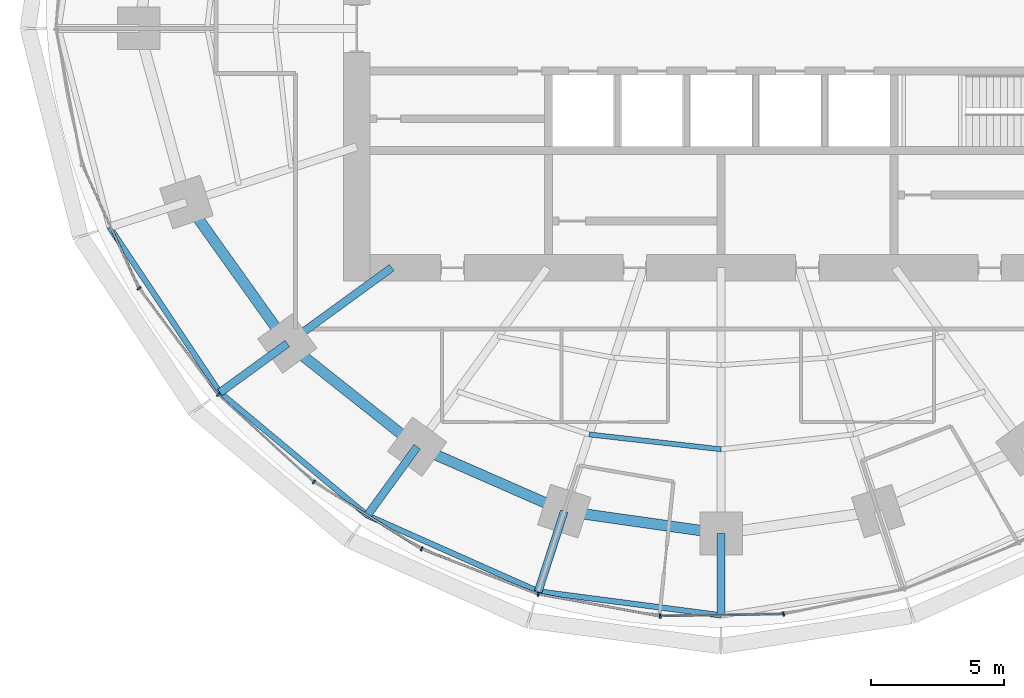
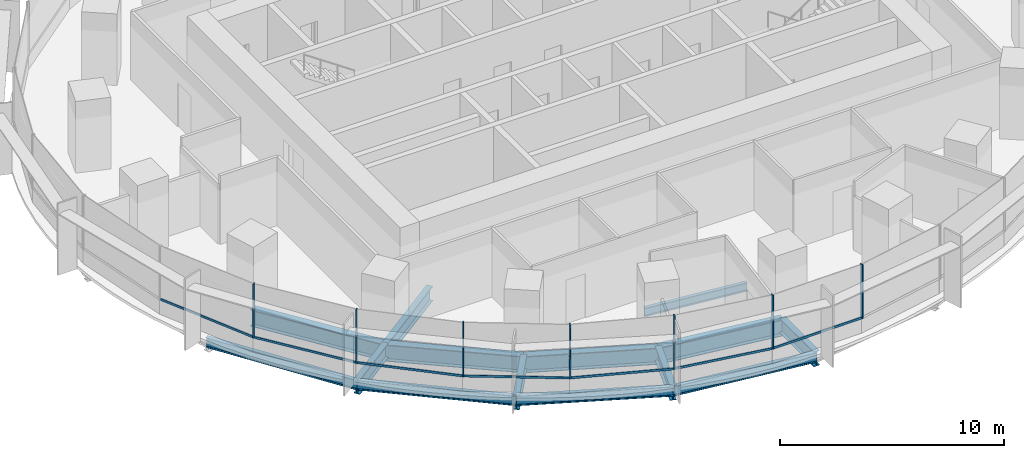
# One storey, part 2 of 14: 14 beams, 14 members, 2 elements without a shape of their own.
"""IFC4 building model written with IfcOpenShell, lengths in metres."""

import ifcopenshell
import ifcopenshell.guid

model = None  # the IFC model being written
_history = None  # IfcOwnerHistory: only IFC2X3 demands one
_inside = {}  # id of a spatial element -> (the spatial element, [elements in it])
_under = {}  # id of a project, library or spatial element -> (it, [spatial elements below it])
_declared = {}  # id of a project -> (the project, [libraries it declares])
_typed = {}  # id of a type object -> (the type object, [elements of that type])
_made_of = {}  # id of a material, layer set ... -> (it, [elements and type objects made of it])


def new_model(schema):
    """Start an empty IFC model of exactly this schema.

    Asked for "IFC4X3", IfcOpenShell would pick the latest addendum, in which some entities
    have other attributes; the version numbers below select the first issue.
    IFC2X3 requires an IfcOwnerHistory on every rooted entity: one is made here for all.
    """
    global model, _history
    if schema == "IFC4X3":
        model = ifcopenshell.file(schema_version=(4, 3, 0, 0))
    else:
        model = ifcopenshell.file(schema=schema)
    _inside.clear()
    _under.clear()
    _declared.clear()
    _typed.clear()
    _made_of.clear()
    _history = None
    if model.schema == "IFC2X3":
        org = make("IfcOrganization", Name="unknown")
        user = make(
            "IfcPersonAndOrganization",
            ThePerson=make("IfcPerson", FamilyName="unknown"),
            TheOrganization=org,
        )
        app = make(
            "IfcApplication",
            ApplicationDeveloper=org,
            Version="unknown",
            ApplicationFullName="unknown",
            ApplicationIdentifier="unknown",
        )
        _history = make(
            "IfcOwnerHistory",
            OwningUser=user,
            OwningApplication=app,
            ChangeAction="ADDED",
            CreationDate=0,
        )
    return model


def make(cls, **values):
    """One entity of the class cls with the attributes given. An attribute that is None is left unset."""
    return model.create_entity(
        cls, **{name: value for name, value in values.items() if value is not None}
    )


def rooted(cls, **values):
    """An entity with a GlobalId (a new one), such as an element, a storey or a relation."""
    return make(cls, GlobalId=ifcopenshell.guid.new(), OwnerHistory=_history, **values)


def si_unit(unit_type, name, prefix=None):
    """IfcSIUnit, for example si_unit("LENGTHUNIT", "METRE", prefix="MILLI")."""
    return make("IfcSIUnit", UnitType=unit_type, Prefix=prefix, Name=name)


def assignment(units):
    """IfcUnitAssignment: the units of a project."""
    return None if units is None else make("IfcUnitAssignment", Units=units)


def point(xyz):
    """IfcCartesianPoint."""
    return None if xyz is None else make("IfcCartesianPoint", Coordinates=xyz)


def direction(xyz):
    """IfcDirection."""
    return None if xyz is None else make("IfcDirection", DirectionRatios=xyz)


def frame(location, z_axis=None, x_axis=None):
    """IfcAxis2Placement3D, a coordinate frame: its origin and axes. An axis left out is left unset."""
    return make(
        "IfcAxis2Placement3D",
        Location=point(location),
        Axis=direction(z_axis),
        RefDirection=direction(x_axis),
    )


def frame_2d(location, x_axis=None):
    """IfcAxis2Placement2D, a coordinate frame in the plane: its origin and x axis."""
    return make(
        "IfcAxis2Placement2D", Location=point(location), RefDirection=direction(x_axis)
    )


def origin():
    """The frame at (0, 0, 0) with its axes left unset."""
    return frame((0.0, 0.0, 0.0))


def origin_2d():
    """The frame at (0, 0) in the plane with its x axis left unset."""
    return frame_2d((0.0, 0.0))


def place(relative_to, where):
    """IfcLocalPlacement: puts the frame where relative to a parent placement (None: the world)."""
    return make(
        "IfcLocalPlacement", PlacementRelTo=relative_to, RelativePlacement=where
    )


def context(
    kind, dimensions, precision=None, world=None, true_north=None, identifier=None
):
    """IfcGeometricRepresentationContext, for example the 3D "Model" context."""
    return make(
        "IfcGeometricRepresentationContext",
        ContextIdentifier=identifier,
        ContextType=kind,
        CoordinateSpaceDimension=dimensions,
        Precision=precision,
        WorldCoordinateSystem=world,
        TrueNorth=true_north,
    )


def subcontext(parent, identifier, kind, view, scale=None):
    """IfcGeometricRepresentationSubContext, for example "Body" below "Model"."""
    return make(
        "IfcGeometricRepresentationSubContext",
        ContextIdentifier=identifier,
        ContextType=kind,
        ParentContext=parent,
        TargetScale=scale,
        TargetView=view,
    )


def project(units=None, contexts=None):
    """IfcProject with its units and contexts."""
    return rooted(
        "IfcProject",
        Name="project",
        RepresentationContexts=contexts,
        UnitsInContext=assignment(units),
    )


def spatial(cls, under=None, at=None, **own):
    """A site, building, storey or space (cls), placed at a placement, below another one or the project."""
    s = rooted(cls, ObjectPlacement=at, **own)
    if under is not None:
        _under.setdefault(under.id(), (under, []))[1].append(s)
    return s


def profile(cls, at=None, kind="AREA", **sizes):
    """A parametric profile (cls). Its sizes go by their IFC names, for example OverallWidth=200.0."""
    return make(cls, ProfileType=kind, Position=at, **sizes)


def rectangle(**sizes):
    """IfcRectangleProfileDef."""
    return profile("IfcRectangleProfileDef", **sizes)


def i_section(**sizes):
    """IfcIShapeProfileDef."""
    return profile("IfcIShapeProfileDef", **sizes)


def extrude(swept, where, along, depth):
    """IfcExtrudedAreaSolid: the profile swept, set in the frame where, extruded along a direction by depth."""
    return make(
        "IfcExtrudedAreaSolid",
        SweptArea=swept,
        Position=where,
        ExtrudedDirection=direction(along),
        Depth=depth,
    )


def shape(context_of_items, identifier, shape_type, items):
    """IfcShapeRepresentation: the items that make up one representation, for example the "Body"."""
    return make(
        "IfcShapeRepresentation",
        ContextOfItems=context_of_items,
        RepresentationIdentifier=identifier,
        RepresentationType=shape_type,
        Items=items,
    )


def material(Name=None, Category=None):
    """IfcMaterial."""
    return make("IfcMaterial", Name=Name, Category=Category)


def material_profile(
    of_material, cross_section, Name=None, Category=None, Priority=None
):
    """IfcMaterialProfile: a cross section and its material."""
    return make(
        "IfcMaterialProfile",
        Name=Name,
        Material=of_material,
        Profile=cross_section,
        Priority=Priority,
        Category=Category,
    )


def profile_set(profiles, Name=None, composite=None):
    """IfcMaterialProfileSet."""
    return make(
        "IfcMaterialProfileSet",
        Name=Name,
        MaterialProfiles=profiles,
        CompositeProfile=composite,
    )


def made_of(thing, what):
    """Note that an element or type object is made of a material, layer set ...; save() writes the relation."""
    if what is not None:
        _made_of.setdefault(what.id(), (what, []))[1].append(thing)
    return thing


def type_object(cls, material=None, **own):
    """A type object (cls), such as IfcWallType, which elements share."""
    return made_of(rooted(cls, **own), material)


def element(
    cls,
    number,
    at=None,
    inside=None,
    cuts=None,
    type_object=None,
    material=None,
    context=None,
    identifier="Body",
    shape_type=None,
    held_by="IfcProductDefinitionShape",
    body=None,
    shapes=None,
    **own,
):
    """One element of the class cls, such as IfcWall. Its Tag is "e" and its number.

    at: its placement. inside: the storey or other place that contains it. cuts: it is an
    opening in that element (IfcRelVoidsElement). A single representation is given by context,
    identifier, shape_type and body (its items); several are given by shapes. held_by: the class
    of the entity that holds the representations. save() writes the other relations.
    """
    e = rooted(cls, Tag="e%d" % number, ObjectPlacement=at, **own)
    if body is not None:
        shapes = [shape(context, identifier, shape_type, body)]
    if shapes is not None:
        e.Representation = make(held_by, Representations=shapes)
    if inside is not None:
        _inside.setdefault(inside.id(), (inside, []))[1].append(e)
    if cuts is not None:
        rooted(
            "IfcRelVoidsElement", RelatingBuildingElement=cuts, RelatedOpeningElement=e
        )
    if type_object is not None:
        _typed.setdefault(type_object.id(), (type_object, []))[1].append(e)
    return made_of(e, material)


def aggregate(whole, parts):
    """IfcRelAggregates: a whole, such as a stair, and the parts it consists of."""
    return rooted("IfcRelAggregates", RelatingObject=whole, RelatedObjects=parts)


def save(model, path):
    """Write the relations noted so far, then the file.

    IfcRelAggregates (storeys below a building ...), IfcRelContainedInSpatialStructure (elements
    in a storey), IfcRelDefinesByType, IfcRelAssociatesMaterial and IfcRelDeclares: one each for
    every whole, place, type object, material and project.
    """
    for whole, parts in _under.values():
        aggregate(whole, parts)
    for where, things in _inside.values():
        rooted(
            "IfcRelContainedInSpatialStructure",
            RelatedElements=things,
            RelatingStructure=where,
        )
    for kind, things in _typed.values():
        rooted("IfcRelDefinesByType", RelatedObjects=things, RelatingType=kind)
    for what, things in _made_of.values():
        rooted("IfcRelAssociatesMaterial", RelatedObjects=things, RelatingMaterial=what)
    for by, libraries in _declared.values():
        rooted("IfcRelDeclares", RelatingContext=by, RelatedDefinitions=libraries)
    model.write(path)


model = new_model("IFC4")

# Units and contexts
model_context = context("Model", 3, precision=1e-05, world=origin(), true_north=direction((0.0, 1.0)))
body_context = subcontext(model_context, "Body", "Model", "MODEL_VIEW")
ifc_project = project(units=[si_unit("LENGTHUNIT", "METRE"), si_unit("AREAUNIT", "SQUARE_METRE"), si_unit("VOLUMEUNIT", "CUBIC_METRE"), si_unit("PLANEANGLEUNIT", "RADIAN"), si_unit("MASSUNIT", "GRAM", prefix="KILO")], contexts=[model_context])

# Site, building, storey
site_placement = place(None, origin())
site = spatial("IfcSite", under=ifc_project, at=site_placement, CompositionType="ELEMENT")
building_placement = place(site_placement, origin())
building = spatial("IfcBuilding", under=site, at=building_placement, Name="Marramba Exchange Tower", CompositionType="ELEMENT")
storey_placement = place(building_placement, frame((0.0, 0.0, 108.0)))
storey = spatial("IfcBuildingStorey", under=building, at=storey_placement, Name="L25", CompositionType="ELEMENT", Elevation=108.0)

# Beams
ifc_material_1 = material(Name="Steel AS/NZS 3679.2 grade 300", Category="steel")
ifc_material_profile_1 = material_profile(ifc_material_1, i_section(OverallWidth=0.300048828125, OverallDepth=0.800048828125, WebThickness=0.013916015625, FlangeThickness=0.031982421875, at=origin_2d()), Name="800WB192")
ifc_profile_set_1 = profile_set([ifc_material_profile_1], Name="Steel AS/NZS 3679.2 grade 300")
beam_type_1 = type_object("IfcBeamType", Name="Cantilever girder 800WB192", PredefinedType="BEAM", material=ifc_profile_set_1)
beam_1_placement = place(storey_placement, frame((-16.3154296875, -11.853759765625, -0.56005859375), z_axis=(-0.809025813822, -0.587773113173, 0.0), x_axis=(0.587773113173, -0.809025813822, 0.0)))
element("IfcBeam", 1, at=beam_1_placement, inside=storey, type_object=beam_type_1, Name="Cantilever girder L25 TC13", PredefinedType="BEAM", context=body_context, shape_type="SweptSolid", body=[
    extrude(i_section(OverallWidth=0.300048828125, OverallDepth=0.800048828125, WebThickness=0.013916015625, FlangeThickness=0.031982421875, at=origin_2d()), origin(), (0.0, 0.0, 1.0), 3.132568359375),
])
beam_2_placement = place(storey_placement, frame((-11.430419921875, -15.732666015625, -0.56005859375), z_axis=(-0.587767308424, -0.809030031054, 0.0), x_axis=(0.809030031054, -0.587767308424, 0.0)))
element("IfcBeam", 2, at=beam_2_placement, inside=storey, type_object=beam_type_1, Name="Cantilever girder L25 TC14", PredefinedType="BEAM", context=body_context, shape_type="SweptSolid", body=[
    extrude(i_section(OverallWidth=0.300048828125, OverallDepth=0.800048828125, WebThickness=0.013916015625, FlangeThickness=0.031982421875, at=origin_2d()), origin(), (0.0, 0.0, 1.0), 3.195556640625),
])
beam_3_placement = place(storey_placement, frame((-5.899658203125, -18.156982421875, -0.56005859375), z_axis=(-0.309018232614, -0.951056113966, 0.0), x_axis=(0.951056113966, -0.309018232614, 0.0)))
element("IfcBeam", 3, at=beam_3_placement, inside=storey, type_object=beam_type_1, Name="Cantilever girder L25 TC15", PredefinedType="BEAM", context=body_context, shape_type="SweptSolid", body=[
    extrude(i_section(OverallWidth=0.300048828125, OverallDepth=0.800048828125, WebThickness=0.013916015625, FlangeThickness=0.031982421875, at=origin_2d()), origin(), (0.0, 0.0, 1.0), 3.173583984375),
])
beam_4_placement = place(storey_placement, frame((0.0, -18.99609375, -0.56005859375), z_axis=(0.0, -1.0, 0.0), x_axis=(1.0, 0.0, 0.0)))
element("IfcBeam", 4, at=beam_4_placement, inside=storey, type_object=beam_type_1, Name="Cantilever girder L25 TC16", PredefinedType="BEAM", context=body_context, shape_type="SweptSolid", body=[
    extrude(i_section(OverallWidth=0.300048828125, OverallDepth=0.800048828125, WebThickness=0.013916015625, FlangeThickness=0.031982421875, at=origin_2d()), origin(), (0.0, 0.0, 1.0), 3.080810546875),
])
ifc_material_2 = material(Name="Steel AS/NZS 3679.1 grade 300", Category="steel")
ifc_material_profile_2 = material_profile(ifc_material_2, i_section(OverallWidth=0.18994140625, OverallDepth=0.4541015625, WebThickness=0.008544921875, FlangeThickness=0.0126953125, FilletRadius=0.011474609375, at=origin_2d()), Name="460UB67.1")
ifc_profile_set_2 = profile_set([ifc_material_profile_2], Name="Steel AS/NZS 3679.1 grade 300")
beam_type_2 = type_object("IfcBeamType", Name="Floor joist 460UB67.1", PredefinedType="JOIST", material=ifc_profile_set_2)
beam_5_placement = place(storey_placement, frame((-4.9619140625, -15.271484375, -0.386962890625), z_axis=(0.993712018573, -0.111966174106, 0.0), x_axis=(0.111966174106, 0.993712018573, 0.0)))
element("IfcBeam", 5, at=beam_5_placement, inside=storey, type_object=beam_type_2, Name="Joist L25 bay 15 row 2", PredefinedType="JOIST", context=body_context, shape_type="SweptSolid", body=[
    extrude(i_section(OverallWidth=0.18994140625, OverallDepth=0.4541015625, WebThickness=0.008544921875, FlangeThickness=0.0126953125, FilletRadius=0.011474609375, at=origin_2d()), origin(), (0.0, 0.0, 1.0), 4.993408203125),
])

# Curtain wall, members
ifc_material_3 = material(Name="Aluminium framing, bronze anodised", Category="aluminium")
curtain_wall_type = type_object("IfcCurtainWallType", Name="Office ribbon curtain wall", PredefinedType="USERDEFINED", material=ifc_material_3)
curtain_wall_1_placement = place(storey_placement, origin())
curtain_wall_1 = element("IfcCurtainWall", 6, at=curtain_wall_1_placement, inside=storey, type_object=curtain_wall_type, Name="Curtain wall CW4 L25 F16-F20", ObjectType="RIBBON CURTAIN WALL", PredefinedType="USERDEFINED")
ifc_material_4 = material(Name="Aluminium mullion, bronze anodised", Category="aluminium")
ifc_material_profile_3 = material_profile(ifc_material_4, rectangle(XDim=0.159912109375, YDim=0.06005859375, at=origin_2d()), Name="CW4 mullion 60x160")
ifc_profile_set_3 = profile_set([ifc_material_profile_3], Name="Aluminium mullion, bronze anodised")
member_type_1 = type_object("IfcMemberType", Name="Office ribbon curtain wall mullion", PredefinedType="MULLION", material=ifc_profile_set_3)
member_1_placement = place(storey_placement, frame((-21.891357421875, -9.778564453125, 0.800048828125), z_axis=(0.0, 0.0, 1.0), x_axis=(0.802014400683, 0.597304697033, 0.0)))
member_1 = element("IfcMember", 7, at=member_1_placement, type_object=member_type_1, Name="CW4 mullion 1", PredefinedType="MULLION", context=body_context, shape_type="SweptSolid", body=[
    extrude(rectangle(XDim=0.159912109375, YDim=0.06005859375, at=origin_2d()), origin(), (0.0, 0.0, 1.0), 2.93994140625),
])
member_2_placement = place(storey_placement, frame((-18.90869140625, -13.774169921875, 0.800048828125), z_axis=(0.0, 0.0, 1.0), x_axis=(0.674995455115, 0.737821886077, 0.0)))
member_2 = element("IfcMember", 8, at=member_2_placement, type_object=member_type_1, Name="CW4 mullion 1", PredefinedType="MULLION", context=body_context, shape_type="SweptSolid", body=[
    extrude(rectangle(XDim=0.159912109375, YDim=0.06005859375, at=origin_2d()), origin(), (0.0, 0.0, 1.0), 2.93994140625),
])
member_3_placement = place(storey_placement, frame((-15.315673828125, -17.053955078125, 0.800048828125), z_axis=(0.0, 0.0, 1.0), x_axis=(0.52942844364, 0.84835459748, 0.0)))
member_3 = element("IfcMember", 9, at=member_3_placement, type_object=member_type_1, Name="CW4 mullion 1", PredefinedType="MULLION", context=body_context, shape_type="SweptSolid", body=[
    extrude(rectangle(XDim=0.159912109375, YDim=0.06005859375, at=origin_2d()), origin(), (0.0, 0.0, 1.0), 2.93994140625),
])

curtain_wall_2_placement = place(storey_placement, origin())
curtain_wall_2 = element("IfcCurtainWall", 10, at=curtain_wall_2_placement, inside=storey, type_object=curtain_wall_type, Name="Curtain wall CW4 L25 F21-F25", ObjectType="RIBBON CURTAIN WALL", PredefinedType="USERDEFINED")
member_4_placement = place(storey_placement, frame((-11.266845703125, -19.573974609375, 0.800048828125), z_axis=(0.0, 0.0, 1.0), x_axis=(0.36292490603, 0.931818390344, 0.0)))
member_4 = element("IfcMember", 11, at=member_4_placement, type_object=member_type_1, Name="CW4 mullion 1", PredefinedType="MULLION", context=body_context, shape_type="SweptSolid", body=[
    extrude(rectangle(XDim=0.159912109375, YDim=0.06005859375, at=origin_2d()), origin(), (0.0, 0.0, 1.0), 2.93994140625),
])
member_5_placement = place(storey_placement, frame((-6.881591796875, -21.27587890625, 0.800048828125), z_axis=(0.0, 0.0, 1.0), x_axis=(0.177992379115, 0.984031865834, 0.0)))
member_5 = element("IfcMember", 12, at=member_5_placement, type_object=member_type_1, Name="CW4 mullion 1", PredefinedType="MULLION", context=body_context, shape_type="SweptSolid", body=[
    extrude(rectangle(XDim=0.159912109375, YDim=0.06005859375, at=origin_2d()), origin(), (0.0, 0.0, 1.0), 2.93994140625),
])
member_6_placement = place(storey_placement, frame((-2.292724609375, -22.099853515625, 0.800048828125), z_axis=(0.0, 0.0, 1.0), x_axis=(-0.015178646521, 0.999884797709, 0.0)))
member_6 = element("IfcMember", 13, at=member_6_placement, type_object=member_type_1, Name="CW4 mullion 1", PredefinedType="MULLION", context=body_context, shape_type="SweptSolid", body=[
    extrude(rectangle(XDim=0.159912109375, YDim=0.06005859375, at=origin_2d()), origin(), (0.0, 0.0, 1.0), 2.93994140625),
])
member_7_placement = place(storey_placement, frame((2.3447265625, -22.02392578125, 0.800048828125), z_axis=(0.0, 0.0, 1.0), x_axis=(-0.202364850159, 0.979310199794, 0.0)))
member_7 = element("IfcMember", 14, at=member_7_placement, type_object=member_type_1, Name="CW4 mullion 1", PredefinedType="MULLION", context=body_context, shape_type="SweptSolid", body=[
    extrude(rectangle(XDim=0.159912109375, YDim=0.06005859375, at=origin_2d()), origin(), (0.0, 0.0, 1.0), 2.93994140625),
])

# Member
ifc_material_5 = material(Name="Aluminium transom, bronze anodised", Category="aluminium")
ifc_material_profile_4 = material_profile(ifc_material_5, rectangle(XDim=0.06005859375, YDim=0.1201171875, at=origin_2d()), Name="CW4 transom 60x120")
ifc_profile_set_4 = profile_set([ifc_material_profile_4], Name="Aluminium transom, bronze anodised")
member_type_2 = type_object("IfcMemberType", Name="Office ribbon curtain wall transom", PredefinedType="USERDEFINED", material=ifc_profile_set_4)
member_8_placement = place(storey_placement, frame((-24.013671875, -5.1640625, 0.830078125), z_axis=(0.416732948599, -0.909028959688, 0.0), x_axis=(0.909028959688, 0.416732948599, 0.0)))
member_8 = element("IfcMember", 15, at=member_8_placement, type_object=member_type_2, Name="CW4 sill transom", ObjectType="TRANSOM", PredefinedType="USERDEFINED", context=body_context, shape_type="SweptSolid", body=[
    extrude(rectangle(XDim=0.06005859375, YDim=0.1201171875, at=origin_2d()), origin(), (0.0, 0.0, 1.0), 5.050048828125),
])

member_9_placement = place(storey_placement, frame((-21.873291015625, -9.802734375, 0.830078125), z_axis=(0.597300736643, -0.80201735019, 0.0), x_axis=(0.80201735019, 0.597300736643, 0.0)))
member_9 = element("IfcMember", 16, at=member_9_placement, type_object=member_type_2, Name="CW4 sill transom", ObjectType="TRANSOM", PredefinedType="USERDEFINED", context=body_context, shape_type="SweptSolid", body=[
    extrude(rectangle(XDim=0.06005859375, YDim=0.1201171875, at=origin_2d()), origin(), (0.0, 0.0, 1.0), 4.926513671875),
])

member_10_placement = place(storey_placement, frame((-18.886474609375, -13.79443359375, 0.830078125), z_axis=(0.737807565469, -0.675011108306, 0.0), x_axis=(0.675011108306, 0.737807565469, 0.0)))
member_10 = element("IfcMember", 17, at=member_10_placement, type_object=member_type_2, Name="CW4 sill transom", ObjectType="TRANSOM", PredefinedType="USERDEFINED", context=body_context, shape_type="SweptSolid", body=[
    extrude(rectangle(XDim=0.06005859375, YDim=0.1201171875, at=origin_2d()), origin(), (0.0, 0.0, 1.0), 4.805419921875),
])

member_11_placement = place(storey_placement, frame((-15.2900390625, -17.06982421875, 0.830078125), z_axis=(0.848373790728, -0.529397687193, 0.0), x_axis=(0.529397687193, 0.848373790728, 0.0)))
member_11 = element("IfcMember", 18, at=member_11_placement, type_object=member_type_2, Name="CW4 sill transom", ObjectType="TRANSOM", PredefinedType="USERDEFINED", context=body_context, shape_type="SweptSolid", body=[
    extrude(rectangle(XDim=0.06005859375, YDim=0.1201171875, at=origin_2d()), origin(), (0.0, 0.0, 1.0), 4.70947265625),
])

aggregate(curtain_wall_1, [member_8, member_1, member_9, member_2, member_10, member_3, member_11])

member_12_placement = place(storey_placement, frame((-11.23876953125, -19.5849609375, 0.830078125), z_axis=(0.931817106708, -0.362928201778, 0.0), x_axis=(0.362928201778, 0.931817106708, 0.0)))
member_12 = element("IfcMember", 19, at=member_12_placement, type_object=member_type_2, Name="CW4 sill transom", ObjectType="TRANSOM", PredefinedType="USERDEFINED", context=body_context, shape_type="SweptSolid", body=[
    extrude(rectangle(XDim=0.06005859375, YDim=0.1201171875, at=origin_2d()), origin(), (0.0, 0.0, 1.0), 4.644287109375),
])

member_13_placement = place(storey_placement, frame((-6.85205078125, -21.281005859375, 0.830078125), z_axis=(0.98402906811, -0.178007845654, 0.0), x_axis=(0.178007845654, 0.98402906811, 0.0)))
member_13 = element("IfcMember", 20, at=member_13_placement, type_object=member_type_2, Name="CW4 sill transom", ObjectType="TRANSOM", PredefinedType="USERDEFINED", context=body_context, shape_type="SweptSolid", body=[
    extrude(rectangle(XDim=0.06005859375, YDim=0.1201171875, at=origin_2d()), origin(), (0.0, 0.0, 1.0), 4.602783203125),
])

member_14_placement = place(storey_placement, frame((-2.262939453125, -22.099365234375, 0.830078125), z_axis=(0.999885345665, 0.015142507235, 0.0), x_axis=(-0.015142507235, 0.999885345665, 0.0)))
member_14 = element("IfcMember", 21, at=member_14_placement, type_object=member_type_2, Name="CW4 sill transom", ObjectType="TRANSOM", PredefinedType="USERDEFINED", context=body_context, shape_type="SweptSolid", body=[
    extrude(rectangle(XDim=0.06005859375, YDim=0.1201171875, at=origin_2d()), origin(), (0.0, 0.0, 1.0), 4.578857421875),
])

aggregate(curtain_wall_2, [member_4, member_12, member_5, member_13, member_6, member_14, member_7])

# Beams
ifc_material_profile_5 = material_profile(ifc_material_1, i_section(OverallWidth=0.300048828125, OverallDepth=0.800048828125, WebThickness=0.013916015625, FlangeThickness=0.031982421875, at=origin_2d()), Name="800WB192")
ifc_profile_set_5 = profile_set([ifc_material_profile_5], Name="Steel AS/NZS 3679.2 grade 300")
beam_type_3 = type_object("IfcBeamType", Name="Radial girder 800WB192", PredefinedType="BEAM", material=ifc_profile_set_5)
beam_6_placement = place(storey_placement, frame((-12.387451171875, -9.0, -0.56005859375), z_axis=(-0.809025189606, -0.58777397236, 0.0), x_axis=(0.58777397236, -0.809025189606, 0.0)))
element("IfcBeam", 22, at=beam_6_placement, inside=storey, type_object=beam_type_3, Name="Radial girder L25 TC13", PredefinedType="BEAM", context=body_context, shape_type="SweptSolid", body=[
    extrude(i_section(OverallWidth=0.300048828125, OverallDepth=0.800048828125, WebThickness=0.013916015625, FlangeThickness=0.031982421875, at=origin_2d()), origin(), (0.0, 0.0, 1.0), 4.855224609375),
])
ifc_material_profile_6 = material_profile(ifc_material_1, i_section(OverallWidth=0.39990234375, OverallDepth=0.89990234375, WebThickness=0.01611328125, FlangeThickness=0.031982421875, at=origin_2d()), Name="900WB282")
ifc_profile_set_6 = profile_set([ifc_material_profile_6], Name="Steel AS/NZS 3679.2 grade 300")
beam_type_4 = type_object("IfcBeamType", Name="Ring beam 900WB282", PredefinedType="SPANDREL", material=ifc_profile_set_6)
beam_7_placement = place(storey_placement, frame((-20.109375, -6.533935546875, -0.610107421875), z_axis=(0.580637181111, -0.814162430914, 0.0), x_axis=(0.814162430914, 0.580637181111, 0.0)))
element("IfcBeam", 23, at=beam_7_placement, inside=storey, type_object=beam_type_4, Name="Ring beam L25 TC12-TC13", PredefinedType="SPANDREL", context=body_context, shape_type="SweptSolid", body=[
    extrude(i_section(OverallWidth=0.39990234375, OverallDepth=0.89990234375, WebThickness=0.01611328125, FlangeThickness=0.031982421875, at=origin_2d()), origin(), (0.0, 0.0, 1.0), 6.5341796875),
])
beam_8_placement = place(storey_placement, frame((-16.3154296875, -11.853759765625, -0.610107421875), z_axis=(0.783139438128, -0.621846138887, 0.0), x_axis=(0.621846138887, 0.783139438128, 0.0)))
element("IfcBeam", 24, at=beam_8_placement, inside=storey, type_object=beam_type_4, Name="Ring beam L25 TC13-TC14", PredefinedType="SPANDREL", context=body_context, shape_type="SweptSolid", body=[
    extrude(i_section(OverallWidth=0.39990234375, OverallDepth=0.89990234375, WebThickness=0.01611328125, FlangeThickness=0.031982421875, at=origin_2d()), origin(), (0.0, 0.0, 1.0), 6.23779296875),
])
beam_9_placement = place(storey_placement, frame((-11.430419921875, -15.732666015625, -0.610107421875), z_axis=(0.915876892158, -0.4014592363, 0.0), x_axis=(0.4014592363, 0.915876892158, 0.0)))
element("IfcBeam", 25, at=beam_9_placement, inside=storey, type_object=beam_type_4, Name="Ring beam L25 TC14-TC15", PredefinedType="SPANDREL", context=body_context, shape_type="SweptSolid", body=[
    extrude(i_section(OverallWidth=0.39990234375, OverallDepth=0.89990234375, WebThickness=0.01611328125, FlangeThickness=0.031982421875, at=origin_2d()), origin(), (0.0, 0.0, 1.0), 6.038818359375),
])
beam_10_placement = place(storey_placement, frame((-5.899658203125, -18.156982421875, -0.610107421875), z_axis=(0.990036163016, -0.140813337152, 0.0), x_axis=(0.140813337152, 0.990036163016, 0.0)))
element("IfcBeam", 26, at=beam_10_placement, inside=storey, type_object=beam_type_4, Name="Ring beam L25 TC15-TC16", PredefinedType="SPANDREL", context=body_context, shape_type="SweptSolid", body=[
    extrude(i_section(OverallWidth=0.39990234375, OverallDepth=0.89990234375, WebThickness=0.01611328125, FlangeThickness=0.031982421875, at=origin_2d()), origin(), (0.0, 0.0, 1.0), 5.958984375),
])
ifc_material_profile_7 = material_profile(ifc_material_2, i_section(OverallWidth=0.208984375, OverallDepth=0.528076171875, WebThickness=0.009521484375, FlangeThickness=0.01318359375, FilletRadius=0.013916015625, at=origin_2d()), Name="530UB82.0")
ifc_profile_set_7 = profile_set([ifc_material_profile_7], Name="Steel AS/NZS 3679.1 grade 300")
beam_type_5 = type_object("IfcBeamType", Name="Slab edge beam 530UB82.0", PredefinedType="SPANDREL", material=ifc_profile_set_7)
beam_11_placement = place(storey_placement, frame((-23.00341796875, -7.47412109375, -0.424072265625), z_axis=(0.555280023791, -0.831663450669, 0.0), x_axis=(0.831663450669, 0.555280023791, 0.0)))
element("IfcBeam", 27, at=beam_11_placement, inside=storey, type_object=beam_type_5, Name="Slab edge beam L25 TC12-TC13", PredefinedType="SPANDREL", context=body_context, shape_type="SweptSolid", body=[
    extrude(i_section(OverallWidth=0.208984375, OverallDepth=0.528076171875, WebThickness=0.009521484375, FlangeThickness=0.01318359375, FilletRadius=0.013916015625, at=origin_2d()), origin(), (0.0, 0.0, 1.0), 7.480224609375),
])
beam_12_placement = place(storey_placement, frame((-18.849853515625, -13.695068359375, -0.424072265625), z_axis=(0.767874532322, -0.640600267415, 0.0), x_axis=(0.640600267415, 0.767874532322, 0.0)))
element("IfcBeam", 28, at=beam_12_placement, inside=storey, type_object=beam_type_5, Name="Slab edge beam L25 TC13-TC14", PredefinedType="SPANDREL", context=body_context, shape_type="SweptSolid", body=[
    extrude(i_section(OverallWidth=0.208984375, OverallDepth=0.528076171875, WebThickness=0.009521484375, FlangeThickness=0.01318359375, FilletRadius=0.013916015625, at=origin_2d()), origin(), (0.0, 0.0, 1.0), 7.21630859375),
])
beam_13_placement = place(storey_placement, frame((-13.30859375, -18.31787109375, -0.424072265625), z_axis=(0.913788648873, -0.406189986571, 0.0), x_axis=(0.406189986571, 0.913788648873, 0.0)))
element("IfcBeam", 29, at=beam_13_placement, inside=storey, type_object=beam_type_5, Name="Slab edge beam L25 TC14-TC15", PredefinedType="SPANDREL", context=body_context, shape_type="SweptSolid", body=[
    extrude(i_section(OverallWidth=0.208984375, OverallDepth=0.528076171875, WebThickness=0.009521484375, FlangeThickness=0.01318359375, FilletRadius=0.013916015625, at=origin_2d()), origin(), (0.0, 0.0, 1.0), 7.03466796875),
])
beam_14_placement = place(storey_placement, frame((-6.88037109375, -21.17529296875, -0.424072265625), z_axis=(0.991523133546, -0.129930272237, 0.0), x_axis=(0.129930272237, 0.991523133546, 0.0)))
element("IfcBeam", 30, at=beam_14_placement, inside=storey, type_object=beam_type_5, Name="Slab edge beam L25 TC15-TC16", PredefinedType="SPANDREL", context=body_context, shape_type="SweptSolid", body=[
    extrude(i_section(OverallWidth=0.208984375, OverallDepth=0.528076171875, WebThickness=0.009521484375, FlangeThickness=0.01318359375, FilletRadius=0.013916015625, at=origin_2d()), origin(), (0.0, 0.0, 1.0), 6.939208984375),
])

save(model, "model.ifc")
